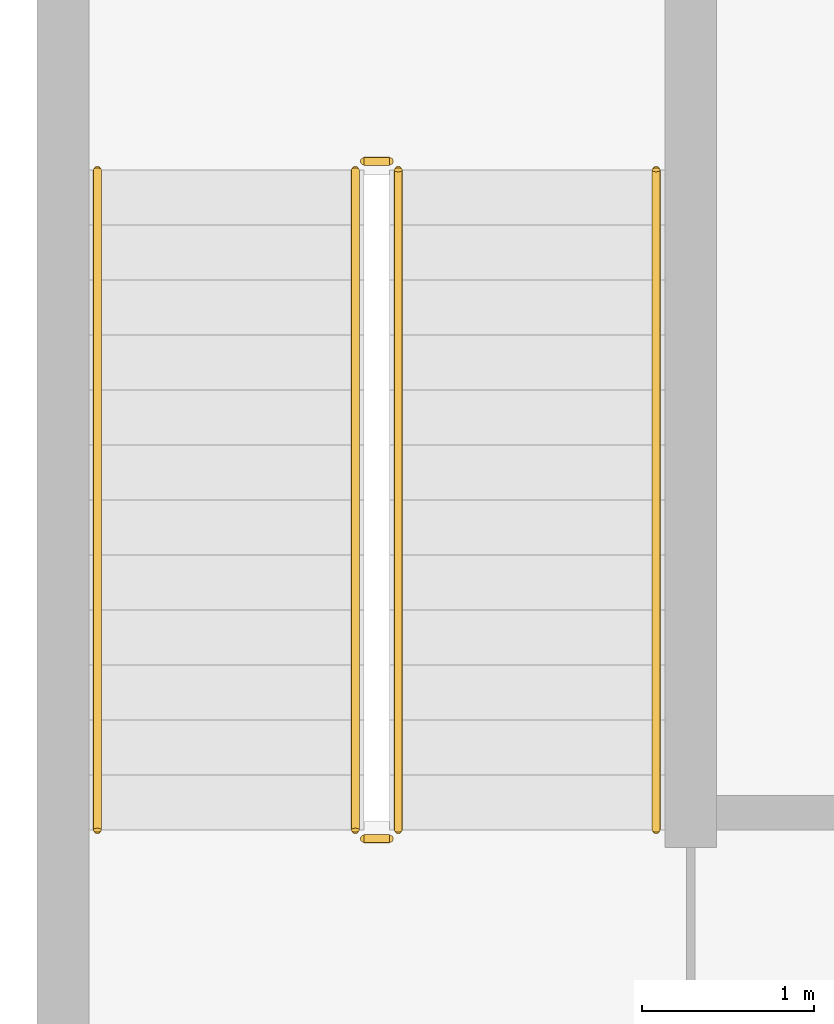
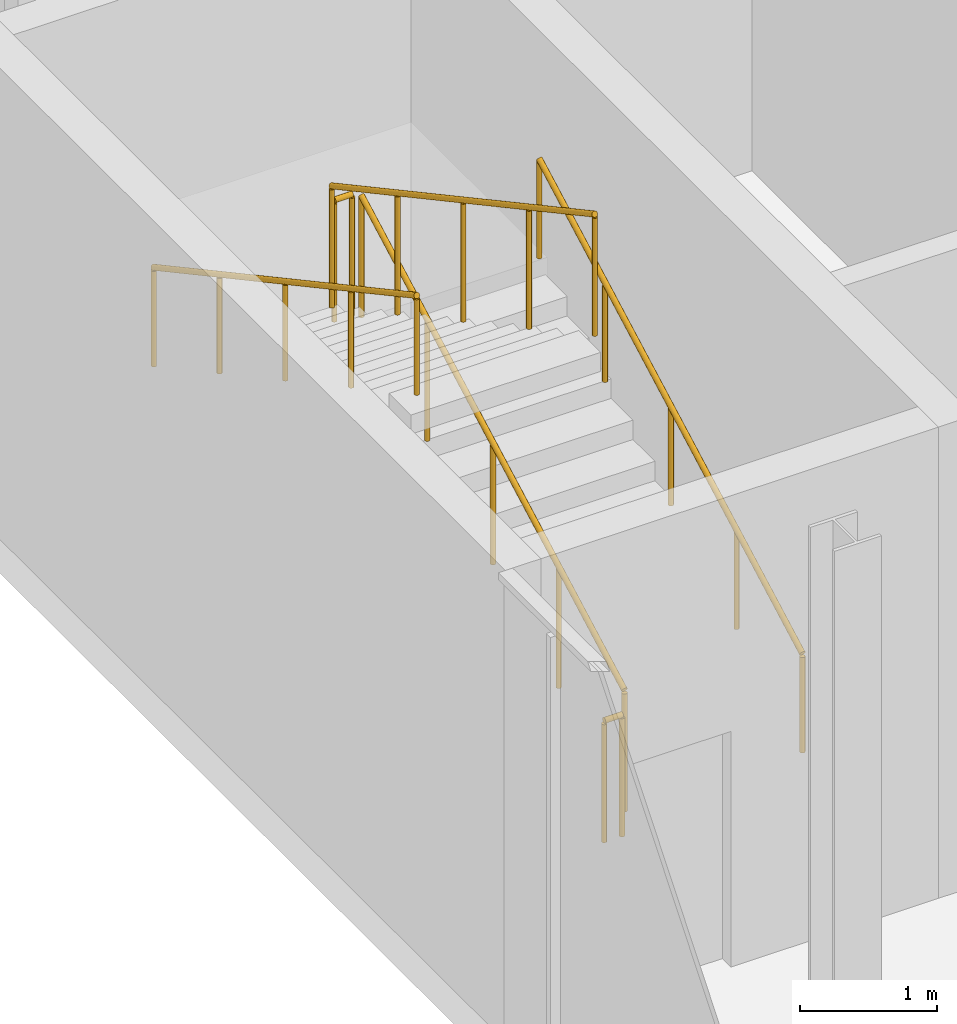
# One storey, part 40 of 45: 6 railings.
"""IFC4 building model written with IfcOpenShell, lengths in metres."""

from ifc_helpers import new_model, si_unit, direction, frame, origin, origin_2d, place, context, subcontext, project, spatial, circle, extrude, material, type_object, element, save


model = new_model("IFC4")

# Units and contexts
model_context = context("Model", 3, precision=1e-05, world=origin(), true_north=direction((0.0, 1.0)))
body_context = subcontext(model_context, "Body", "Model", "MODEL_VIEW")
ifc_project = project(units=[si_unit("LENGTHUNIT", "METRE"), si_unit("AREAUNIT", "SQUARE_METRE"), si_unit("VOLUMEUNIT", "CUBIC_METRE"), si_unit("PLANEANGLEUNIT", "RADIAN"), si_unit("MASSUNIT", "GRAM", prefix="KILO")], contexts=[model_context])

# Site, building, storey
site_placement = place(None, origin())
site = spatial("IfcSite", under=ifc_project, at=site_placement, CompositionType="ELEMENT")
building_placement = place(site_placement, origin())
building = spatial("IfcBuilding", under=site, at=building_placement, Name="Madar Terraces", CompositionType="ELEMENT")
storey_placement = place(building_placement, frame((0.0, 0.0, 6.0)))
storey = spatial("IfcBuildingStorey", under=building, at=storey_placement, Name="L01", CompositionType="ELEMENT", Elevation=6.0)

# Railings
ifc_material_1 = material(Name="Stainless steel railing", Category="steel")
railing_type_1 = type_object("IfcRailingType", Name="Stair guard 1100", PredefinedType="GUARDRAIL", material=ifc_material_1)
railing_1_placement = place(storey_placement, frame((-5.10009765625, 2.699951171875, 0.173095703125)))
element("IfcRailing", 1, at=railing_1_placement, inside=storey, type_object=railing_type_1, Name="L01 PS1 stair guard 1", PredefinedType="GUARDRAIL", context=body_context, shape_type="SweptSolid", body=[
    extrude(circle(Radius=0.02392578125, at=origin_2d()), frame((0.0, 0.0, 1.076171875), z_axis=(0.0, 0.879593317441, 0.475726387658), x_axis=(-1.0, 0.0, 0.0)), (0.0, 0.0, 1.0), 4.36572265625),
    extrude(circle(Radius=0.02099609375, at=origin_2d()), origin(), (0.0, 0.0, 1.0), 1.052001953125),
    extrude(circle(Radius=0.02099609375, at=origin_2d()), frame((0.0, 0.9599609375, 0.519287109375)), (0.0, 0.0, 1.0), 1.052001953125),
    extrude(circle(Radius=0.02099609375, at=origin_2d()), frame((0.0, 1.919921875, 1.03857421875)), (0.0, 0.0, 1.0), 1.052001953125),
    extrude(circle(Radius=0.02099609375, at=origin_2d()), frame((0.0, 2.880126953125, 1.5576171875)), (0.0, 0.0, 1.0), 1.052001953125),
    extrude(circle(Radius=0.02099609375, at=origin_2d()), frame((0.0, 3.840087890625, 2.076904296875)), (0.0, 0.0, 1.0), 1.052001953125),
])
railing_2_placement = place(storey_placement, frame((-5.14990234375, 6.590087890625, 2.25)))
element("IfcRailing", 2, at=railing_2_placement, inside=storey, type_object=railing_type_1, Name="L01 PS1 stair guard 2", PredefinedType="GUARDRAIL", context=body_context, shape_type="SweptSolid", body=[
    extrude(circle(Radius=0.02392578125, at=origin_2d()), frame((0.0, 0.0, 1.076171875), z_axis=(-1.0, 0.0, 0.0), x_axis=(0.0, -1.0, 0.0)), (0.0, 0.0, 1.0), 0.150146484375),
    extrude(circle(Radius=0.02099609375, at=origin_2d()), origin(), (0.0, 0.0, 1.0), 1.052001953125),
    extrude(circle(Radius=0.02099609375, at=origin_2d()), frame((-0.150146484375, 0.0, 0.0)), (0.0, 0.0, 1.0), 1.052001953125),
])
railing_3_placement = place(storey_placement, frame((-5.35009765625, 6.5400390625, 2.423095703125)))
element("IfcRailing", 3, at=railing_3_placement, inside=storey, type_object=railing_type_1, Name="L01 PS1 stair guard 3", PredefinedType="GUARDRAIL", context=body_context, shape_type="SweptSolid", body=[
    extrude(circle(Radius=0.02392578125, at=origin_2d()), frame((0.0, 0.0, 1.076171875), z_axis=(0.0, -0.879593317441, 0.475726387658), x_axis=(1.0, 0.0, 0.0)), (0.0, 0.0, 1.0), 4.36572265625),
    extrude(circle(Radius=0.02099609375, at=origin_2d()), origin(), (0.0, 0.0, 1.0), 1.052001953125),
    extrude(circle(Radius=0.02099609375, at=origin_2d()), frame((0.0, -0.9599609375, 0.519287109375)), (0.0, 0.0, 1.0), 1.052001953125),
    extrude(circle(Radius=0.02099609375, at=origin_2d()), frame((0.0, -1.919921875, 1.03857421875)), (0.0, 0.0, 1.0), 1.052001953125),
    extrude(circle(Radius=0.02099609375, at=origin_2d()), frame((0.0, -2.880126953125, 1.5576171875)), (0.0, 0.0, 1.0), 1.052001953125),
    extrude(circle(Radius=0.02099609375, at=origin_2d()), frame((0.0, -3.840087890625, 2.076904296875)), (0.0, 0.0, 1.0), 1.052001953125),
])
railing_4_placement = place(storey_placement, frame((-5.14990234375, 2.64990234375, 0.0)))
element("IfcRailing", 4, at=railing_4_placement, inside=storey, type_object=railing_type_1, Name="L01 PS1 stair guard 4", PredefinedType="GUARDRAIL", context=body_context, shape_type="SweptSolid", body=[
    extrude(circle(Radius=0.02392578125, at=origin_2d()), frame((0.0, 0.0, 1.076171875), z_axis=(-1.0, 0.0, 0.0), x_axis=(0.0, -1.0, 0.0)), (0.0, 0.0, 1.0), 0.150146484375),
    extrude(circle(Radius=0.02099609375, at=origin_2d()), origin(), (0.0, 0.0, 1.0), 1.052001953125),
    extrude(circle(Radius=0.02099609375, at=origin_2d()), frame((-0.150146484375, 0.0, 0.0)), (0.0, 0.0, 1.0), 1.052001953125),
])
ifc_material_2 = material(Name="Stainless steel railing", Category="steel")
railing_type_2 = type_object("IfcRailingType", Name="Stair handrail 900", PredefinedType="HANDRAIL", material=ifc_material_2)
railing_5_placement = place(storey_placement, frame((-3.60009765625, 2.699951171875, 0.173095703125)))
element("IfcRailing", 5, at=railing_5_placement, inside=storey, type_object=railing_type_2, Name="L01 PS1 stair handrail 1", PredefinedType="HANDRAIL", context=body_context, shape_type="SweptSolid", body=[
    extrude(circle(Radius=0.02392578125, at=origin_2d()), frame((0.0, 0.0, 0.8759765625), z_axis=(0.0, 0.879593317441, 0.475726387658), x_axis=(-1.0, 0.0, 0.0)), (0.0, 0.0, 1.0), 4.36572265625),
    extrude(circle(Radius=0.02099609375, at=origin_2d()), origin(), (0.0, 0.0, 1.0), 0.851806640625),
    extrude(circle(Radius=0.02099609375, at=origin_2d()), frame((0.0, 0.9599609375, 0.519287109375)), (0.0, 0.0, 1.0), 0.851806640625),
    extrude(circle(Radius=0.02099609375, at=origin_2d()), frame((0.0, 1.919921875, 1.03857421875)), (0.0, 0.0, 1.0), 0.851806640625),
    extrude(circle(Radius=0.02099609375, at=origin_2d()), frame((0.0, 2.880126953125, 1.5576171875)), (0.0, 0.0, 1.0), 0.851806640625),
    extrude(circle(Radius=0.02099609375, at=origin_2d()), frame((0.0, 3.840087890625, 2.076904296875)), (0.0, 0.0, 1.0), 0.851806640625),
])
railing_6_placement = place(storey_placement, frame((-6.85009765625, 6.5400390625, 2.423095703125)))
element("IfcRailing", 6, at=railing_6_placement, inside=storey, type_object=railing_type_2, Name="L01 PS1 stair handrail 2", PredefinedType="HANDRAIL", context=body_context, shape_type="SweptSolid", body=[
    extrude(circle(Radius=0.02392578125, at=origin_2d()), frame((0.0, 0.0, 0.8759765625), z_axis=(0.0, -0.879593317441, 0.475726387658), x_axis=(1.0, 0.0, 0.0)), (0.0, 0.0, 1.0), 4.36572265625),
    extrude(circle(Radius=0.02099609375, at=origin_2d()), origin(), (0.0, 0.0, 1.0), 0.851806640625),
    extrude(circle(Radius=0.02099609375, at=origin_2d()), frame((0.0, -0.9599609375, 0.519287109375)), (0.0, 0.0, 1.0), 0.851806640625),
    extrude(circle(Radius=0.02099609375, at=origin_2d()), frame((0.0, -1.919921875, 1.03857421875)), (0.0, 0.0, 1.0), 0.851806640625),
    extrude(circle(Radius=0.02099609375, at=origin_2d()), frame((0.0, -2.880126953125, 1.5576171875)), (0.0, 0.0, 1.0), 0.851806640625),
    extrude(circle(Radius=0.02099609375, at=origin_2d()), frame((0.0, -3.840087890625, 2.076904296875)), (0.0, 0.0, 1.0), 0.851806640625),
])

save(model, "model.ifc")
